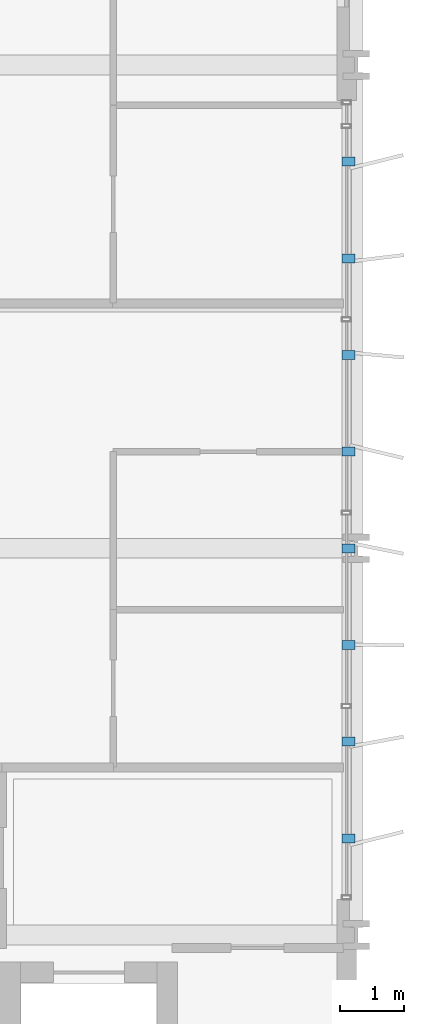
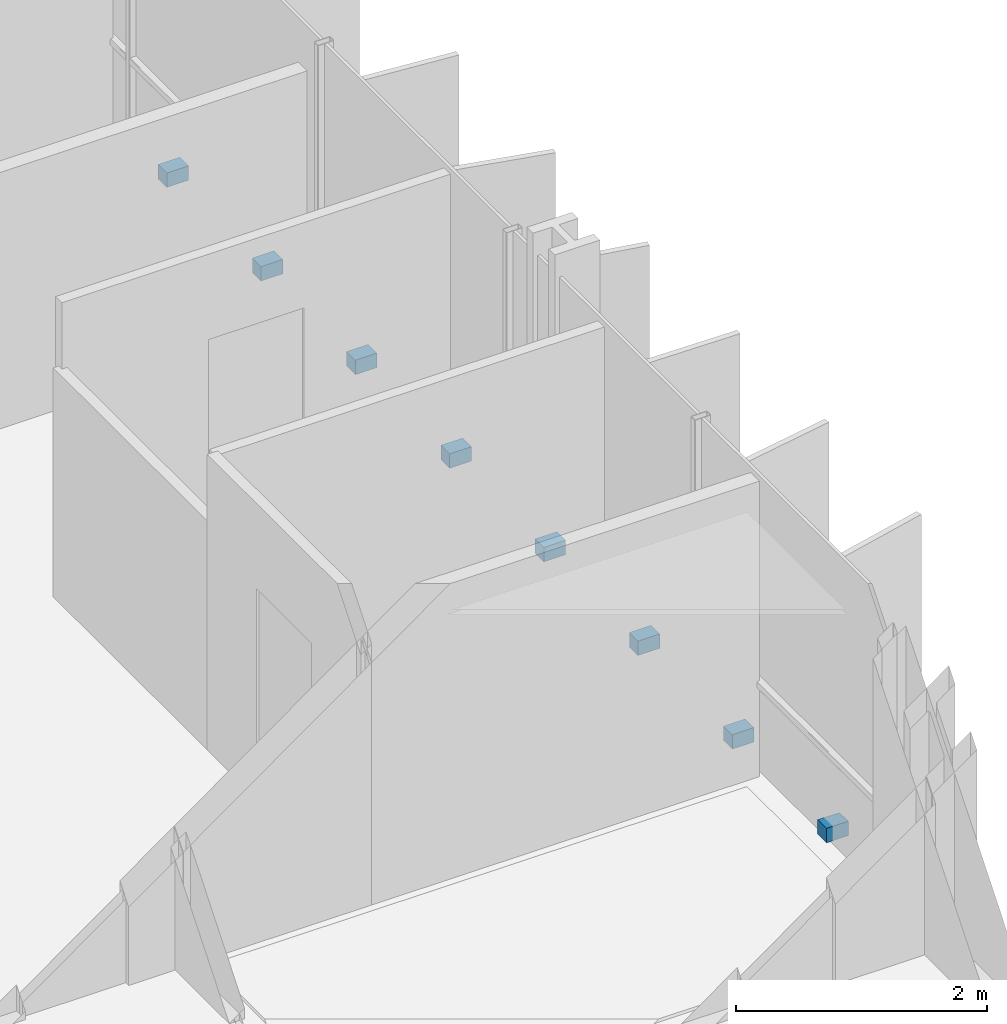
# One storey, part 34 of 38: 8 discrete accessories.
"""IFC4 building model written with IfcOpenShell, lengths in metres."""

import ifcopenshell
import ifcopenshell.guid

model = None  # the IFC model being written
_history = None  # IfcOwnerHistory: only IFC2X3 demands one
_inside = {}  # id of a spatial element -> (the spatial element, [elements in it])
_under = {}  # id of a project, library or spatial element -> (it, [spatial elements below it])
_declared = {}  # id of a project -> (the project, [libraries it declares])
_typed = {}  # id of a type object -> (the type object, [elements of that type])
_made_of = {}  # id of a material, layer set ... -> (it, [elements and type objects made of it])


def new_model(schema):
    """Start an empty IFC model of exactly this schema.

    Asked for "IFC4X3", IfcOpenShell would pick the latest addendum, in which some entities
    have other attributes; the version numbers below select the first issue.
    IFC2X3 requires an IfcOwnerHistory on every rooted entity: one is made here for all.
    """
    global model, _history
    if schema == "IFC4X3":
        model = ifcopenshell.file(schema_version=(4, 3, 0, 0))
    else:
        model = ifcopenshell.file(schema=schema)
    _inside.clear()
    _under.clear()
    _declared.clear()
    _typed.clear()
    _made_of.clear()
    _history = None
    if model.schema == "IFC2X3":
        org = make("IfcOrganization", Name="unknown")
        user = make(
            "IfcPersonAndOrganization",
            ThePerson=make("IfcPerson", FamilyName="unknown"),
            TheOrganization=org,
        )
        app = make(
            "IfcApplication",
            ApplicationDeveloper=org,
            Version="unknown",
            ApplicationFullName="unknown",
            ApplicationIdentifier="unknown",
        )
        _history = make(
            "IfcOwnerHistory",
            OwningUser=user,
            OwningApplication=app,
            ChangeAction="ADDED",
            CreationDate=0,
        )
    return model


def make(cls, **values):
    """One entity of the class cls with the attributes given. An attribute that is None is left unset."""
    return model.create_entity(
        cls, **{name: value for name, value in values.items() if value is not None}
    )


def rooted(cls, **values):
    """An entity with a GlobalId (a new one), such as an element, a storey or a relation."""
    return make(cls, GlobalId=ifcopenshell.guid.new(), OwnerHistory=_history, **values)


def si_unit(unit_type, name, prefix=None):
    """IfcSIUnit, for example si_unit("LENGTHUNIT", "METRE", prefix="MILLI")."""
    return make("IfcSIUnit", UnitType=unit_type, Prefix=prefix, Name=name)


def assignment(units):
    """IfcUnitAssignment: the units of a project."""
    return None if units is None else make("IfcUnitAssignment", Units=units)


def point(xyz):
    """IfcCartesianPoint."""
    return None if xyz is None else make("IfcCartesianPoint", Coordinates=xyz)


def direction(xyz):
    """IfcDirection."""
    return None if xyz is None else make("IfcDirection", DirectionRatios=xyz)


def frame(location, z_axis=None, x_axis=None):
    """IfcAxis2Placement3D, a coordinate frame: its origin and axes. An axis left out is left unset."""
    return make(
        "IfcAxis2Placement3D",
        Location=point(location),
        Axis=direction(z_axis),
        RefDirection=direction(x_axis),
    )


def frame_2d(location, x_axis=None):
    """IfcAxis2Placement2D, a coordinate frame in the plane: its origin and x axis."""
    return make(
        "IfcAxis2Placement2D", Location=point(location), RefDirection=direction(x_axis)
    )


def origin():
    """The frame at (0, 0, 0) with its axes left unset."""
    return frame((0.0, 0.0, 0.0))


def origin_2d():
    """The frame at (0, 0) in the plane with its x axis left unset."""
    return frame_2d((0.0, 0.0))


def place(relative_to, where):
    """IfcLocalPlacement: puts the frame where relative to a parent placement (None: the world)."""
    return make(
        "IfcLocalPlacement", PlacementRelTo=relative_to, RelativePlacement=where
    )


def context(
    kind, dimensions, precision=None, world=None, true_north=None, identifier=None
):
    """IfcGeometricRepresentationContext, for example the 3D "Model" context."""
    return make(
        "IfcGeometricRepresentationContext",
        ContextIdentifier=identifier,
        ContextType=kind,
        CoordinateSpaceDimension=dimensions,
        Precision=precision,
        WorldCoordinateSystem=world,
        TrueNorth=true_north,
    )


def subcontext(parent, identifier, kind, view, scale=None):
    """IfcGeometricRepresentationSubContext, for example "Body" below "Model"."""
    return make(
        "IfcGeometricRepresentationSubContext",
        ContextIdentifier=identifier,
        ContextType=kind,
        ParentContext=parent,
        TargetScale=scale,
        TargetView=view,
    )


def project(units=None, contexts=None):
    """IfcProject with its units and contexts."""
    return rooted(
        "IfcProject",
        Name="project",
        RepresentationContexts=contexts,
        UnitsInContext=assignment(units),
    )


def spatial(cls, under=None, at=None, **own):
    """A site, building, storey or space (cls), placed at a placement, below another one or the project."""
    s = rooted(cls, ObjectPlacement=at, **own)
    if under is not None:
        _under.setdefault(under.id(), (under, []))[1].append(s)
    return s


def profile(cls, at=None, kind="AREA", **sizes):
    """A parametric profile (cls). Its sizes go by their IFC names, for example OverallWidth=200.0."""
    return make(cls, ProfileType=kind, Position=at, **sizes)


def rectangle(**sizes):
    """IfcRectangleProfileDef."""
    return profile("IfcRectangleProfileDef", **sizes)


def extrude(swept, where, along, depth):
    """IfcExtrudedAreaSolid: the profile swept, set in the frame where, extruded along a direction by depth."""
    return make(
        "IfcExtrudedAreaSolid",
        SweptArea=swept,
        Position=where,
        ExtrudedDirection=direction(along),
        Depth=depth,
    )


def shape(context_of_items, identifier, shape_type, items):
    """IfcShapeRepresentation: the items that make up one representation, for example the "Body"."""
    return make(
        "IfcShapeRepresentation",
        ContextOfItems=context_of_items,
        RepresentationIdentifier=identifier,
        RepresentationType=shape_type,
        Items=items,
    )


def material(Name=None, Category=None):
    """IfcMaterial."""
    return make("IfcMaterial", Name=Name, Category=Category)


def made_of(thing, what):
    """Note that an element or type object is made of a material, layer set ...; save() writes the relation."""
    if what is not None:
        _made_of.setdefault(what.id(), (what, []))[1].append(thing)
    return thing


def type_object(cls, material=None, **own):
    """A type object (cls), such as IfcWallType, which elements share."""
    return made_of(rooted(cls, **own), material)


def element(
    cls,
    number,
    at=None,
    inside=None,
    cuts=None,
    type_object=None,
    material=None,
    context=None,
    identifier="Body",
    shape_type=None,
    held_by="IfcProductDefinitionShape",
    body=None,
    shapes=None,
    **own,
):
    """One element of the class cls, such as IfcWall. Its Tag is "e" and its number.

    at: its placement. inside: the storey or other place that contains it. cuts: it is an
    opening in that element (IfcRelVoidsElement). A single representation is given by context,
    identifier, shape_type and body (its items); several are given by shapes. held_by: the class
    of the entity that holds the representations. save() writes the other relations.
    """
    e = rooted(cls, Tag="e%d" % number, ObjectPlacement=at, **own)
    if body is not None:
        shapes = [shape(context, identifier, shape_type, body)]
    if shapes is not None:
        e.Representation = make(held_by, Representations=shapes)
    if inside is not None:
        _inside.setdefault(inside.id(), (inside, []))[1].append(e)
    if cuts is not None:
        rooted(
            "IfcRelVoidsElement", RelatingBuildingElement=cuts, RelatedOpeningElement=e
        )
    if type_object is not None:
        _typed.setdefault(type_object.id(), (type_object, []))[1].append(e)
    return made_of(e, material)


def aggregate(whole, parts):
    """IfcRelAggregates: a whole, such as a stair, and the parts it consists of."""
    return rooted("IfcRelAggregates", RelatingObject=whole, RelatedObjects=parts)


def save(model, path):
    """Write the relations noted so far, then the file.

    IfcRelAggregates (storeys below a building ...), IfcRelContainedInSpatialStructure (elements
    in a storey), IfcRelDefinesByType, IfcRelAssociatesMaterial and IfcRelDeclares: one each for
    every whole, place, type object, material and project.
    """
    for whole, parts in _under.values():
        aggregate(whole, parts)
    for where, things in _inside.values():
        rooted(
            "IfcRelContainedInSpatialStructure",
            RelatedElements=things,
            RelatingStructure=where,
        )
    for kind, things in _typed.values():
        rooted("IfcRelDefinesByType", RelatedObjects=things, RelatingType=kind)
    for what, things in _made_of.values():
        rooted("IfcRelAssociatesMaterial", RelatedObjects=things, RelatingMaterial=what)
    for by, libraries in _declared.values():
        rooted("IfcRelDeclares", RelatingContext=by, RelatedDefinitions=libraries)
    model.write(path)


model = new_model("IFC4")

# Units and contexts
model_context = context("Model", 3, precision=1e-05, world=origin(), true_north=direction((0.0, 1.0)))
body_context = subcontext(model_context, "Body", "Model", "MODEL_VIEW")
ifc_project = project(units=[si_unit("LENGTHUNIT", "METRE"), si_unit("AREAUNIT", "SQUARE_METRE"), si_unit("VOLUMEUNIT", "CUBIC_METRE"), si_unit("PLANEANGLEUNIT", "RADIAN"), si_unit("MASSUNIT", "GRAM", prefix="KILO")], contexts=[model_context])

# Site, building, storey
site_placement = place(None, origin())
site = spatial("IfcSite", under=ifc_project, at=site_placement, CompositionType="ELEMENT")
building_placement = place(site_placement, origin())
building = spatial("IfcBuilding", under=site, at=building_placement, Name="Brevholm Reach", CompositionType="ELEMENT")
storey_placement = place(building_placement, frame((0.0, 0.0, 46.60009765625)))
storey = spatial("IfcBuildingStorey", under=building, at=storey_placement, Name="L12", CompositionType="ELEMENT", Elevation=46.60009765625)

# Discrete accessories
ifc_material = material(Name="Duplex Stainless Steel EN 1.4462", Category="steel")
discrete_accessory_type = type_object("IfcDiscreteAccessoryType", Name="ACC-BRK-01", PredefinedType="BRACKET", material=ifc_material)
for number, where, z_axis, x_axis, name in (
    (1, (59.8798828125, 11.5, 0.02978515625), (0.0, 0.0, 1.0), (1.0, 0.0, 0.0), "L12 Solar Screen Support Bracket 1"),
    (2, (59.8798828125, 13.0, 0.02978515625), (0.0, 0.0, 1.0), (1.0, 0.0, 0.0), "L12 Solar Screen Support Bracket 2"),
    (3, (59.8798828125, 14.5, 0.02978515625), (0.0, 0.0, 1.0), (1.0, 0.0, 0.0), "L12 Solar Screen Support Bracket 3"),
    (4, (59.8798828125, 16.0, 0.02978515625), (0.0, 0.0, 1.0), (1.0, 0.0, 0.0), "L12 Solar Screen Support Bracket 4"),
    (5, (59.8798828125, 17.5, 0.02978515625), (0.0, 0.0, 1.0), (1.0, 0.0, 0.0), "L12 Solar Screen Support Bracket 5"),
    (6, (59.8798828125, 19.0, 0.02978515625), (0.0, 0.0, 1.0), (1.0, 0.0, 0.0), "L12 Solar Screen Support Bracket 6"),
    (7, (59.8798828125, 20.5, 0.02978515625), (0.0, 0.0, 1.0), (1.0, 0.0, 0.0), "L12 Solar Screen Support Bracket 7"),
    (8, (59.8798828125, 22.0, 0.02978515625), (0.0, 0.0, 1.0), (1.0, 0.0, 0.0), "L12 Solar Screen Support Bracket 8"),
):
    element("IfcDiscreteAccessory", number, at=place(storey_placement, frame(where, z_axis=z_axis, x_axis=x_axis)), inside=storey, type_object=discrete_accessory_type, Name=name, PredefinedType="BRACKET", context=body_context, shape_type="SweptSolid", body=[
        extrude(rectangle(XDim=0.199951171875, YDim=0.139892578125, at=origin_2d()), origin(), (0.0, 0.0, 1.0), 0.139892578125),
    ])

save(model, "model.ifc")
